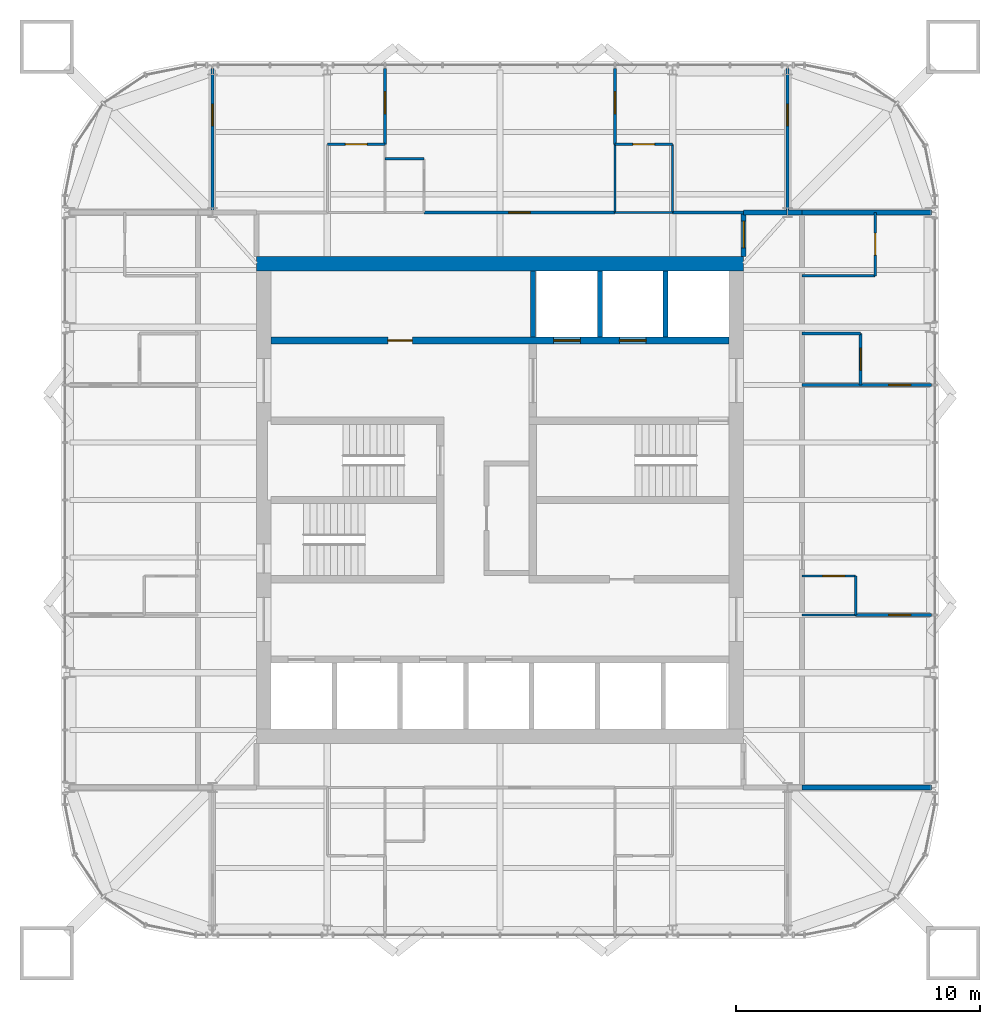
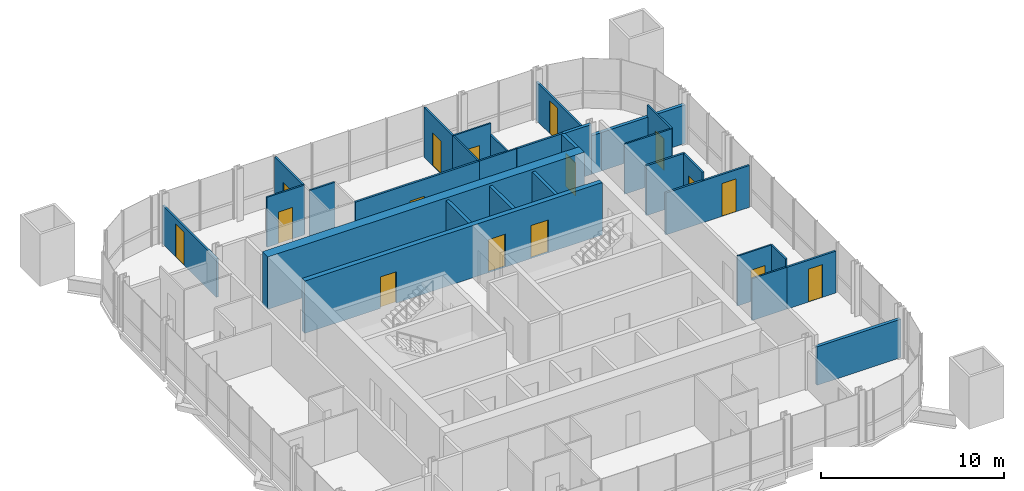
# One storey, part 15 of 17: 31 walls, 16 doors, 16 openings.
"""IFC4 building model written with IfcOpenShell, lengths in metres."""

import ifcopenshell
import ifcopenshell.guid

model = None  # the IFC model being written
_history = None  # IfcOwnerHistory: only IFC2X3 demands one
_inside = {}  # id of a spatial element -> (the spatial element, [elements in it])
_under = {}  # id of a project, library or spatial element -> (it, [spatial elements below it])
_declared = {}  # id of a project -> (the project, [libraries it declares])
_typed = {}  # id of a type object -> (the type object, [elements of that type])
_made_of = {}  # id of a material, layer set ... -> (it, [elements and type objects made of it])


def new_model(schema):
    """Start an empty IFC model of exactly this schema.

    Asked for "IFC4X3", IfcOpenShell would pick the latest addendum, in which some entities
    have other attributes; the version numbers below select the first issue.
    IFC2X3 requires an IfcOwnerHistory on every rooted entity: one is made here for all.
    """
    global model, _history
    if schema == "IFC4X3":
        model = ifcopenshell.file(schema_version=(4, 3, 0, 0))
    else:
        model = ifcopenshell.file(schema=schema)
    _inside.clear()
    _under.clear()
    _declared.clear()
    _typed.clear()
    _made_of.clear()
    _history = None
    if model.schema == "IFC2X3":
        org = make("IfcOrganization", Name="unknown")
        user = make(
            "IfcPersonAndOrganization",
            ThePerson=make("IfcPerson", FamilyName="unknown"),
            TheOrganization=org,
        )
        app = make(
            "IfcApplication",
            ApplicationDeveloper=org,
            Version="unknown",
            ApplicationFullName="unknown",
            ApplicationIdentifier="unknown",
        )
        _history = make(
            "IfcOwnerHistory",
            OwningUser=user,
            OwningApplication=app,
            ChangeAction="ADDED",
            CreationDate=0,
        )
    return model


def make(cls, **values):
    """One entity of the class cls with the attributes given. An attribute that is None is left unset."""
    return model.create_entity(
        cls, **{name: value for name, value in values.items() if value is not None}
    )


def rooted(cls, **values):
    """An entity with a GlobalId (a new one), such as an element, a storey or a relation."""
    return make(cls, GlobalId=ifcopenshell.guid.new(), OwnerHistory=_history, **values)


def si_unit(unit_type, name, prefix=None):
    """IfcSIUnit, for example si_unit("LENGTHUNIT", "METRE", prefix="MILLI")."""
    return make("IfcSIUnit", UnitType=unit_type, Prefix=prefix, Name=name)


def assignment(units):
    """IfcUnitAssignment: the units of a project."""
    return None if units is None else make("IfcUnitAssignment", Units=units)


def point(xyz):
    """IfcCartesianPoint."""
    return None if xyz is None else make("IfcCartesianPoint", Coordinates=xyz)


def direction(xyz):
    """IfcDirection."""
    return None if xyz is None else make("IfcDirection", DirectionRatios=xyz)


def frame(location, z_axis=None, x_axis=None):
    """IfcAxis2Placement3D, a coordinate frame: its origin and axes. An axis left out is left unset."""
    return make(
        "IfcAxis2Placement3D",
        Location=point(location),
        Axis=direction(z_axis),
        RefDirection=direction(x_axis),
    )


def frame_2d(location, x_axis=None):
    """IfcAxis2Placement2D, a coordinate frame in the plane: its origin and x axis."""
    return make(
        "IfcAxis2Placement2D", Location=point(location), RefDirection=direction(x_axis)
    )


def origin():
    """The frame at (0, 0, 0) with its axes left unset."""
    return frame((0.0, 0.0, 0.0))


def place(relative_to, where):
    """IfcLocalPlacement: puts the frame where relative to a parent placement (None: the world)."""
    return make(
        "IfcLocalPlacement", PlacementRelTo=relative_to, RelativePlacement=where
    )


def context(
    kind, dimensions, precision=None, world=None, true_north=None, identifier=None
):
    """IfcGeometricRepresentationContext, for example the 3D "Model" context."""
    return make(
        "IfcGeometricRepresentationContext",
        ContextIdentifier=identifier,
        ContextType=kind,
        CoordinateSpaceDimension=dimensions,
        Precision=precision,
        WorldCoordinateSystem=world,
        TrueNorth=true_north,
    )


def subcontext(parent, identifier, kind, view, scale=None):
    """IfcGeometricRepresentationSubContext, for example "Body" below "Model"."""
    return make(
        "IfcGeometricRepresentationSubContext",
        ContextIdentifier=identifier,
        ContextType=kind,
        ParentContext=parent,
        TargetScale=scale,
        TargetView=view,
    )


def project(units=None, contexts=None):
    """IfcProject with its units and contexts."""
    return rooted(
        "IfcProject",
        Name="project",
        RepresentationContexts=contexts,
        UnitsInContext=assignment(units),
    )


def spatial(cls, under=None, at=None, **own):
    """A site, building, storey or space (cls), placed at a placement, below another one or the project."""
    s = rooted(cls, ObjectPlacement=at, **own)
    if under is not None:
        _under.setdefault(under.id(), (under, []))[1].append(s)
    return s


def profile(cls, at=None, kind="AREA", **sizes):
    """A parametric profile (cls). Its sizes go by their IFC names, for example OverallWidth=200.0."""
    return make(cls, ProfileType=kind, Position=at, **sizes)


def rectangle(**sizes):
    """IfcRectangleProfileDef."""
    return profile("IfcRectangleProfileDef", **sizes)


def extrude(swept, where, along, depth):
    """IfcExtrudedAreaSolid: the profile swept, set in the frame where, extruded along a direction by depth."""
    return make(
        "IfcExtrudedAreaSolid",
        SweptArea=swept,
        Position=where,
        ExtrudedDirection=direction(along),
        Depth=depth,
    )


def shape(context_of_items, identifier, shape_type, items):
    """IfcShapeRepresentation: the items that make up one representation, for example the "Body"."""
    return make(
        "IfcShapeRepresentation",
        ContextOfItems=context_of_items,
        RepresentationIdentifier=identifier,
        RepresentationType=shape_type,
        Items=items,
    )


def material(Name=None, Category=None):
    """IfcMaterial."""
    return make("IfcMaterial", Name=Name, Category=Category)


def layer(
    of_material, thickness, ventilated=None, Name=None, Category=None, Priority=None
):
    """IfcMaterialLayer: one layer of a wall or slab, of a material (None: an air gap)."""
    return make(
        "IfcMaterialLayer",
        Material=of_material,
        LayerThickness=thickness,
        IsVentilated=ventilated,
        Name=Name,
        Category=Category,
        Priority=Priority,
    )


def layer_set(layers, Name=None):
    """IfcMaterialLayerSet."""
    return make("IfcMaterialLayerSet", MaterialLayers=layers, LayerSetName=Name)


def made_of(thing, what):
    """Note that an element or type object is made of a material, layer set ...; save() writes the relation."""
    if what is not None:
        _made_of.setdefault(what.id(), (what, []))[1].append(thing)
    return thing


def type_object(cls, material=None, **own):
    """A type object (cls), such as IfcWallType, which elements share."""
    return made_of(rooted(cls, **own), material)


def element(
    cls,
    number,
    at=None,
    inside=None,
    cuts=None,
    type_object=None,
    material=None,
    context=None,
    identifier="Body",
    shape_type=None,
    held_by="IfcProductDefinitionShape",
    body=None,
    shapes=None,
    **own,
):
    """One element of the class cls, such as IfcWall. Its Tag is "e" and its number.

    at: its placement. inside: the storey or other place that contains it. cuts: it is an
    opening in that element (IfcRelVoidsElement). A single representation is given by context,
    identifier, shape_type and body (its items); several are given by shapes. held_by: the class
    of the entity that holds the representations. save() writes the other relations.
    """
    e = rooted(cls, Tag="e%d" % number, ObjectPlacement=at, **own)
    if body is not None:
        shapes = [shape(context, identifier, shape_type, body)]
    if shapes is not None:
        e.Representation = make(held_by, Representations=shapes)
    if inside is not None:
        _inside.setdefault(inside.id(), (inside, []))[1].append(e)
    if cuts is not None:
        rooted(
            "IfcRelVoidsElement", RelatingBuildingElement=cuts, RelatedOpeningElement=e
        )
    if type_object is not None:
        _typed.setdefault(type_object.id(), (type_object, []))[1].append(e)
    return made_of(e, material)


def fill(opening, filler):
    """IfcRelFillsElement: the door or window that sits in an opening."""
    return rooted(
        "IfcRelFillsElement",
        RelatingOpeningElement=opening,
        RelatedBuildingElement=filler,
    )


def aggregate(whole, parts):
    """IfcRelAggregates: a whole, such as a stair, and the parts it consists of."""
    return rooted("IfcRelAggregates", RelatingObject=whole, RelatedObjects=parts)


def save(model, path):
    """Write the relations noted so far, then the file.

    IfcRelAggregates (storeys below a building ...), IfcRelContainedInSpatialStructure (elements
    in a storey), IfcRelDefinesByType, IfcRelAssociatesMaterial and IfcRelDeclares: one each for
    every whole, place, type object, material and project.
    """
    for whole, parts in _under.values():
        aggregate(whole, parts)
    for where, things in _inside.values():
        rooted(
            "IfcRelContainedInSpatialStructure",
            RelatedElements=things,
            RelatingStructure=where,
        )
    for kind, things in _typed.values():
        rooted("IfcRelDefinesByType", RelatedObjects=things, RelatingType=kind)
    for what, things in _made_of.values():
        rooted("IfcRelAssociatesMaterial", RelatedObjects=things, RelatingMaterial=what)
    for by, libraries in _declared.values():
        rooted("IfcRelDeclares", RelatingContext=by, RelatedDefinitions=libraries)
    model.write(path)


model = new_model("IFC4")

# Units and contexts
model_context = context("Model", 3, precision=1e-05, world=origin(), true_north=direction((0.0, 1.0)))
body_context = subcontext(model_context, "Body", "Model", "MODEL_VIEW")
ifc_project = project(units=[si_unit("LENGTHUNIT", "METRE"), si_unit("AREAUNIT", "SQUARE_METRE"), si_unit("VOLUMEUNIT", "CUBIC_METRE"), si_unit("PLANEANGLEUNIT", "RADIAN"), si_unit("MASSUNIT", "GRAM", prefix="KILO")], contexts=[model_context])

# Site, building, storey
site_placement = place(None, origin())
site = spatial("IfcSite", under=ifc_project, at=site_placement, CompositionType="ELEMENT")
building_placement = place(site_placement, origin())
building = spatial("IfcBuilding", under=site, at=building_placement, Name="Turquesa Mirador Hotel Tower", CompositionType="ELEMENT")
storey_placement = place(building_placement, frame((0.0, 0.0, 254.699951171875)))
storey = spatial("IfcBuildingStorey", under=building, at=storey_placement, Name="L69", CompositionType="ELEMENT", Elevation=254.699951171875)

# Wall, opening, door
ifc_material_1 = material(Name="Gypsum board on steel studs", Category="steel")
ifc_layer_1 = layer(ifc_material_1, 0.10009765625)
ifc_layer_set_1 = layer_set([ifc_layer_1], Name="BATHROOM WALL 100")
wall_type_1 = type_object("IfcWallType", Name="BATHROOM WALL 100", PredefinedType="PARTITIONING", material=ifc_layer_set_1)
wall_1_placement = place(storey_placement, frame((67.39990234375, 41.8798828125, 0.0), z_axis=(0.0, 0.0, 1.0), x_axis=(1.0, 0.0, 0.0)))
wall_1 = element("IfcWall", 1, at=wall_1_placement, inside=storey, type_object=wall_type_1, Name="Partition L69 014", PredefinedType="PARTITIONING", context=body_context, shape_type="SweptSolid", body=[
    extrude(rectangle(XDim=2.2001953125, YDim=0.10009765625, at=frame_2d((1.10009765625, 0.0))), origin(), (0.0, 0.0, 1.0), 3.330078125),
])
opening_1_placement = place(wall_1_placement, frame((0.85009765625, 0.0, 0.0)))
opening_1 = element("IfcOpeningElement", 2, at=opening_1_placement, cuts=wall_1, Name="Opening D06", PredefinedType="OPENING", context=body_context, shape_type="SweptSolid", body=[
    extrude(rectangle(XDim=0.89990234375, YDim=2.10009765625, at=frame_2d((0.449951171875, 1.050048828125))), frame((0.0, 0.06005859375, 0.0), z_axis=(0.0, -1.0, 0.0), x_axis=(1.0, 0.0, 0.0)), (0.0, 0.0, 1.0), 0.1201171875),
])
ifc_material_2 = material(Name="Laminate door", Category="wood")
door_type_1 = type_object("IfcDoorType", Name="DOOR 900X2100 WC", OperationType="SINGLE_SWING_LEFT", PredefinedType="DOOR", material=ifc_material_2)
door_1_placement = place(opening_1_placement, origin())
door_1 = element("IfcDoor", 3, at=door_1_placement, inside=storey, type_object=door_type_1, Name="Door 6903W", OperationType="SINGLE_SWING_LEFT", OverallHeight=2.10009765625, OverallWidth=0.89990234375, PredefinedType="DOOR", context=body_context, shape_type="SweptSolid", body=[
    extrude(rectangle(XDim=0.89990234375, YDim=2.10009765625, at=frame_2d((0.449951171875, 1.050048828125))), frame((0.0, 0.02490234375, 0.0), z_axis=(0.0, -1.0, 0.0), x_axis=(1.0, 0.0, 0.0)), (0.0, 0.0, 1.0), 0.050048828125),
])
fill(opening_1, door_1)

# Walls
wall_2_placement = place(storey_placement, frame((67.39990234375, 40.280029296875, 0.0), z_axis=(0.0, 0.0, 1.0), x_axis=(1.0, 0.0, 0.0)))
element("IfcWall", 4, at=wall_2_placement, inside=storey, type_object=wall_type_1, Name="Partition L69 016", PredefinedType="PARTITIONING", context=body_context, shape_type="SweptSolid", body=[
    extrude(rectangle(XDim=2.2001953125, YDim=0.10009765625, at=frame_2d((1.10009765625, 0.0))), origin(), (0.0, 0.0, 1.0), 2.796630859375),
])
wall_3_placement = place(storey_placement, frame((59.719970703125, 56.800048828125, 0.0), z_axis=(0.0, 0.0, 1.0), x_axis=(1.0, 0.0, 0.0)))
element("IfcWall", 5, at=wall_3_placement, inside=storey, type_object=wall_type_1, Name="Partition L69 020", PredefinedType="PARTITIONING", context=body_context, shape_type="SweptSolid", body=[
    extrude(rectangle(XDim=2.360107421875, YDim=0.10009765625, at=frame_2d((1.18017578125, 0.0))), origin(), (0.0, 0.0, 1.0), 3.330078125),
])
wall_4_placement = place(storey_placement, frame((50.280029296875, 59.0, 0.0), z_axis=(0.0, 0.0, 1.0), x_axis=(1.0, 0.0, 0.0)))
element("IfcWall", 6, at=wall_4_placement, inside=storey, type_object=wall_type_1, Name="Partition L69 028", PredefinedType="PARTITIONING", context=body_context, shape_type="SweptSolid", body=[
    extrude(rectangle(XDim=1.599853515625, YDim=0.10009765625, at=frame_2d((0.7998046875, 0.0))), origin(), (0.0, 0.0, 1.0), 3.330078125),
])

# Wall, opening, door
wall_5_placement = place(storey_placement, frame((47.919921875, 59.60009765625, 0.0), z_axis=(0.0, 0.0, 1.0), x_axis=(1.0, 0.0, 0.0)))
wall_5 = element("IfcWall", 7, at=wall_5_placement, inside=storey, type_object=wall_type_1, Name="Partition L69 029", PredefinedType="PARTITIONING", context=body_context, shape_type="SweptSolid", body=[
    extrude(rectangle(XDim=2.360107421875, YDim=0.10009765625, at=frame_2d((1.18017578125, 0.0))), origin(), (0.0, 0.0, 1.0), 3.330078125),
])
opening_2_placement = place(wall_5_placement, frame((0.72998046875, 0.0, 0.0)))
opening_2 = element("IfcOpeningElement", 8, at=opening_2_placement, cuts=wall_5, Name="Opening D02", PredefinedType="OPENING", context=body_context, shape_type="SweptSolid", body=[
    extrude(rectangle(XDim=0.89990234375, YDim=2.10009765625, at=frame_2d((0.449951171875, 1.050048828125))), frame((0.0, 0.06005859375, 0.0), z_axis=(0.0, -1.0, 0.0), x_axis=(1.0, 0.0, 0.0)), (0.0, 0.0, 1.0), 0.1201171875),
])
ifc_material_3 = material(Name="Timber veneered door", Category="wood")
door_type_2 = type_object("IfcDoorType", Name="DOOR 900X2100 EN-SUITE", OperationType="SINGLE_SWING_RIGHT", PredefinedType="DOOR", material=ifc_material_3)
door_2_placement = place(opening_2_placement, origin())
door_2 = element("IfcDoor", 9, at=door_2_placement, inside=storey, type_object=door_type_2, Name="Door 6901B", OperationType="SINGLE_SWING_RIGHT", OverallHeight=2.10009765625, OverallWidth=0.89990234375, PredefinedType="DOOR", context=body_context, shape_type="SweptSolid", body=[
    extrude(rectangle(XDim=0.89990234375, YDim=2.10009765625, at=frame_2d((0.449951171875, 1.050048828125))), frame((0.0, 0.02490234375, 0.0), z_axis=(0.0, -1.0, 0.0), x_axis=(1.0, 0.0, 0.0)), (0.0, 0.0, 1.0), 0.050048828125),
])
fill(opening_2, door_2)

wall_6_placement = place(storey_placement, frame((59.719970703125, 59.60009765625, 0.0), z_axis=(0.0, 0.0, 1.0), x_axis=(1.0, 0.0, 0.0)))
wall_6 = element("IfcWall", 10, at=wall_6_placement, inside=storey, type_object=wall_type_1, Name="Partition L69 030", PredefinedType="PARTITIONING", context=body_context, shape_type="SweptSolid", body=[
    extrude(rectangle(XDim=2.360107421875, YDim=0.10009765625, at=frame_2d((1.18017578125, 0.0))), origin(), (0.0, 0.0, 1.0), 3.330078125),
])
opening_3_placement = place(wall_6_placement, frame((0.72998046875, 0.0, 0.0)))
opening_3 = element("IfcOpeningElement", 11, at=opening_3_placement, cuts=wall_6, Name="Opening D02", PredefinedType="OPENING", context=body_context, shape_type="SweptSolid", body=[
    extrude(rectangle(XDim=0.89990234375, YDim=2.10009765625, at=frame_2d((0.449951171875, 1.050048828125))), frame((0.0, 0.06005859375, 0.0), z_axis=(0.0, -1.0, 0.0), x_axis=(1.0, 0.0, 0.0)), (0.0, 0.0, 1.0), 0.1201171875),
])
door_3_placement = place(opening_3_placement, origin())
door_3 = element("IfcDoor", 12, at=door_3_placement, inside=storey, type_object=door_type_2, Name="Door 6901E", OperationType="SINGLE_SWING_RIGHT", OverallHeight=2.10009765625, OverallWidth=0.89990234375, PredefinedType="DOOR", context=body_context, shape_type="SweptSolid", body=[
    extrude(rectangle(XDim=0.89990234375, YDim=2.10009765625, at=frame_2d((0.449951171875, 1.050048828125))), frame((0.0, 0.02490234375, 0.0), z_axis=(0.0, -1.0, 0.0), x_axis=(1.0, 0.0, 0.0)), (0.0, 0.0, 1.0), 0.050048828125),
])
fill(opening_3, door_3)

# Walls
wall_7_placement = place(storey_placement, frame((67.39990234375, 54.199951171875, 0.0), z_axis=(0.0, 0.0, 1.0), x_axis=(1.0, 0.0, 0.0)))
element("IfcWall", 13, at=wall_7_placement, inside=storey, type_object=wall_type_1, Name="Partition L69 036", PredefinedType="PARTITIONING", context=body_context, shape_type="SweptSolid", body=[
    extrude(rectangle(XDim=3.0, YDim=0.10009765625, at=frame_2d((1.5, 0.0))), origin(), (0.0, 0.0, 1.0), 3.330078125),
])
wall_8_placement = place(storey_placement, frame((69.60009765625, 40.280029296875, 0.0), z_axis=(0.0, 0.0, 1.0), x_axis=(0.0, 1.0, 0.0)))
element("IfcWall", 14, at=wall_8_placement, inside=storey, type_object=wall_type_1, Name="Partition L69 058", PredefinedType="PARTITIONING", context=body_context, shape_type="SweptSolid", body=[
    extrude(rectangle(XDim=1.599853515625, YDim=0.10009765625, at=frame_2d((0.7998046875, 0.0))), origin(), (0.0, 0.0, 1.0), 3.330078125),
])

# Wall, opening, door
wall_9_placement = place(storey_placement, frame((70.39990234375, 54.199951171875, 0.0), z_axis=(0.0, 0.0, 1.0), x_axis=(0.0, 1.0, 0.0)))
wall_9 = element("IfcWall", 15, at=wall_9_placement, inside=storey, type_object=wall_type_1, Name="Partition L69 060", PredefinedType="PARTITIONING", context=body_context, shape_type="SweptSolid", body=[
    extrude(rectangle(XDim=2.60009765625, YDim=0.10009765625, at=frame_2d((1.300048828125, 0.0))), origin(), (0.0, 0.0, 1.0), 3.330078125),
])
opening_4_placement = place(wall_9_placement, frame((0.85009765625, 0.0, 0.0)))
opening_4 = element("IfcOpeningElement", 16, at=opening_4_placement, cuts=wall_9, Name="Opening D02", PredefinedType="OPENING", context=body_context, shape_type="SweptSolid", body=[
    extrude(rectangle(XDim=0.89990234375, YDim=2.10009765625, at=frame_2d((0.449951171875, 1.050048828125))), frame((0.0, 0.06005859375, 0.0), z_axis=(0.0, -1.0, 0.0), x_axis=(1.0, 0.0, 0.0)), (0.0, 0.0, 1.0), 0.1201171875),
])
door_4_placement = place(opening_4_placement, origin())
door_4 = element("IfcDoor", 17, at=door_4_placement, inside=storey, type_object=door_type_2, Name="Door 6903B", OperationType="SINGLE_SWING_RIGHT", OverallHeight=2.10009765625, OverallWidth=0.89990234375, PredefinedType="DOOR", context=body_context, shape_type="SweptSolid", body=[
    extrude(rectangle(XDim=0.89990234375, YDim=2.10009765625, at=frame_2d((0.449951171875, 1.050048828125))), frame((0.0, 0.02490234375, 0.0), z_axis=(0.0, -1.0, 0.0), x_axis=(1.0, 0.0, 0.0)), (0.0, 0.0, 1.0), 0.050048828125),
])
fill(opening_4, door_4)

# Walls
wall_10_placement = place(storey_placement, frame((59.719970703125, 56.800048828125, 0.0), z_axis=(0.0, 0.0, 1.0), x_axis=(0.0, 1.0, 0.0)))
element("IfcWall", 18, at=wall_10_placement, inside=storey, type_object=wall_type_1, Name="Partition L69 062", PredefinedType="PARTITIONING", context=body_context, shape_type="SweptSolid", body=[
    extrude(rectangle(XDim=2.800048828125, YDim=0.10009765625, at=frame_2d((1.39990234375, 0.0))), origin(), (0.0, 0.0, 1.0), 3.330078125),
])
wall_11_placement = place(storey_placement, frame((62.080078125, 56.800048828125, 0.0), z_axis=(0.0, 0.0, 1.0), x_axis=(0.0, 1.0, 0.0)))
element("IfcWall", 19, at=wall_11_placement, inside=storey, type_object=wall_type_1, Name="Partition L69 066", PredefinedType="PARTITIONING", context=body_context, shape_type="SweptSolid", body=[
    extrude(rectangle(XDim=2.800048828125, YDim=0.10009765625, at=frame_2d((1.39990234375, 0.0))), origin(), (0.0, 0.0, 1.0), 2.5732421875),
])

# Wall, openings, doors
ifc_material_4 = material(Name="Concrete C50/60", Category="concrete")
ifc_layer_2 = layer(ifc_material_4, 0.300048828125)
ifc_layer_set_2 = layer_set([ifc_layer_2], Name="CORE INNER WALL 300")
wall_type_2 = type_object("IfcWallType", Name="CORE INNER WALL 300", PredefinedType="SHEAR", material=ifc_layer_set_2)
wall_12_placement = place(storey_placement, frame((45.60009765625, 51.550048828125, 0.0), z_axis=(0.0, 0.0, 1.0), x_axis=(1.0, 0.0, 0.0)))
wall_12 = element("IfcWall", 20, at=wall_12_placement, inside=storey, type_object=wall_type_2, Name="Core wall NL", PredefinedType="SHEAR", context=body_context, shape_type="SweptSolid", body=[
    extrude(rectangle(XDim=18.7998046875, YDim=0.300048828125, at=frame_2d((9.39990234375, 0.0))), origin(), (0.0, 0.0, 1.0), 3.5),
])
opening_5_placement = place(wall_12_placement, frame((4.800048828125, 0.0, 0.0)))
opening_5 = element("IfcOpeningElement", 21, at=opening_5_placement, cuts=wall_12, Name="Opening D05", PredefinedType="OPENING", context=body_context, shape_type="SweptSolid", body=[
    extrude(rectangle(XDim=1.0, YDim=2.10009765625, at=frame_2d((0.5, 1.050048828125))), frame((0.0, 0.159912109375, 0.0), z_axis=(0.0, -1.0, 0.0), x_axis=(1.0, 0.0, 0.0)), (0.0, 0.0, 1.0), 0.320068359375),
])
opening_6_placement = place(wall_12_placement, frame((11.60009765625, 0.0, 0.0)))
opening_6 = element("IfcOpeningElement", 22, at=opening_6_placement, cuts=wall_12, Name="Opening LD", PredefinedType="OPENING", context=body_context, shape_type="SweptSolid", body=[
    extrude(rectangle(XDim=1.10009765625, YDim=2.199951171875, at=frame_2d((0.550048828125, 1.10009765625))), frame((0.0, 0.159912109375, 0.0), z_axis=(0.0, -1.0, 0.0), x_axis=(1.0, 0.0, 0.0)), (0.0, 0.0, 1.0), 0.320068359375),
])
opening_7_placement = place(wall_12_placement, frame((14.300048828125, 0.0, 0.0)))
opening_7 = element("IfcOpeningElement", 23, at=opening_7_placement, cuts=wall_12, Name="Opening LD", PredefinedType="OPENING", context=body_context, shape_type="SweptSolid", body=[
    extrude(rectangle(XDim=1.10009765625, YDim=2.199951171875, at=frame_2d((0.550048828125, 1.10009765625))), frame((0.0, 0.159912109375, 0.0), z_axis=(0.0, -1.0, 0.0), x_axis=(1.0, 0.0, 0.0)), (0.0, 0.0, 1.0), 0.320068359375),
])
ifc_material_5 = material(Name="Steel fire door", Category="steel")
door_type_3 = type_object("IfcDoorType", Name="DOOR 1000X2100 SERVICE", OperationType="SINGLE_SWING_LEFT", PredefinedType="DOOR", material=ifc_material_5)
door_5_placement = place(opening_5_placement, origin())
door_5 = element("IfcDoor", 24, at=door_5_placement, inside=storey, type_object=door_type_3, Name="Linen store door", OperationType="SINGLE_SWING_LEFT", OverallHeight=2.10009765625, OverallWidth=1.0, PredefinedType="DOOR", context=body_context, shape_type="SweptSolid", body=[
    extrude(rectangle(XDim=1.0, YDim=2.10009765625, at=frame_2d((0.5, 1.050048828125))), frame((0.0, 0.02490234375, 0.0), z_axis=(0.0, -1.0, 0.0), x_axis=(1.0, 0.0, 0.0)), (0.0, 0.0, 1.0), 0.050048828125),
])
fill(opening_5, door_5)
ifc_material_6 = material(Name="Stainless steel lift landing door", Category="steel")
door_type_4 = type_object("IfcDoorType", Name="LIFT LANDING DOOR 1100X2200", OperationType="SLIDING_TO_LEFT", PredefinedType="DOOR", material=ifc_material_6)
door_6_placement = place(opening_6_placement, origin())
door_6 = element("IfcDoor", 25, at=door_6_placement, inside=storey, type_object=door_type_4, Name="Lift S1 landing door", OperationType="SLIDING_TO_LEFT", OverallHeight=2.199951171875, OverallWidth=1.10009765625, PredefinedType="DOOR", context=body_context, shape_type="SweptSolid", body=[
    extrude(rectangle(XDim=1.10009765625, YDim=2.199951171875, at=frame_2d((0.550048828125, 1.10009765625))), frame((0.0, 0.02490234375, 0.0), z_axis=(0.0, -1.0, 0.0), x_axis=(1.0, 0.0, 0.0)), (0.0, 0.0, 1.0), 0.050048828125),
])
fill(opening_6, door_6)
door_7_placement = place(opening_7_placement, origin())
door_7 = element("IfcDoor", 26, at=door_7_placement, inside=storey, type_object=door_type_4, Name="Lift S2 landing door", OperationType="SLIDING_TO_LEFT", OverallHeight=2.199951171875, OverallWidth=1.10009765625, PredefinedType="DOOR", context=body_context, shape_type="SweptSolid", body=[
    extrude(rectangle(XDim=1.10009765625, YDim=2.199951171875, at=frame_2d((0.550048828125, 1.10009765625))), frame((0.0, 0.02490234375, 0.0), z_axis=(0.0, -1.0, 0.0), x_axis=(1.0, 0.0, 0.0)), (0.0, 0.0, 1.0), 0.050048828125),
])
fill(opening_7, door_7)

# Walls
ifc_material_7 = material(Name="Concrete C50/60", Category="concrete")
ifc_layer_3 = layer(ifc_material_7, 0.60009765625)
ifc_layer_set_3 = layer_set([ifc_layer_3], Name="CORE WALL 600")
wall_type_3 = type_object("IfcWallType", Name="CORE WALL 600", PredefinedType="SHEAR", material=ifc_layer_set_3)
wall_13_placement = place(storey_placement, frame((45.0, 54.699951171875, 0.0), z_axis=(0.0, 0.0, 1.0), x_axis=(1.0, 0.0, 0.0)))
element("IfcWall", 27, at=wall_13_placement, inside=storey, type_object=wall_type_3, Name="Core wall N", PredefinedType="SHEAR", context=body_context, shape_type="SweptSolid", body=[
    extrude(rectangle(XDim=20.0, YDim=0.60009765625, at=frame_2d((10.0, 0.0))), origin(), (0.0, 0.0, 1.0), 3.5),
])
ifc_material_8 = material(Name="Fire-rated gypsum board on steel studs", Category="steel")
ifc_layer_4 = layer(ifc_material_8, 0.199951171875)
ifc_layer_set_4 = layer_set([ifc_layer_4], Name="CORRIDOR WALL 200")
wall_type_4 = type_object("IfcWallType", Name="CORRIDOR WALL 200", PredefinedType="PARTITIONING", material=ifc_layer_set_4)
wall_14_placement = place(storey_placement, frame((65.0, 56.800048828125, 0.0), z_axis=(0.0, 0.0, 1.0), x_axis=(1.0, 0.0, 0.0)))
element("IfcWall", 28, at=wall_14_placement, inside=storey, type_object=wall_type_4, Name="Partition L69 022", PredefinedType="PARTITIONING", context=body_context, shape_type="SweptSolid", body=[
    extrude(rectangle(XDim=1.780029296875, YDim=0.199951171875, at=frame_2d((0.89013671875, 0.0))), origin(), (0.0, 0.0, 1.0), 3.330078125),
])

# Wall, opening, door
wall_15_placement = place(storey_placement, frame((65.0, 55.0, 0.0), z_axis=(0.0, 0.0, 1.0), x_axis=(0.0, 1.0, 0.0)))
wall_15 = element("IfcWall", 29, at=wall_15_placement, inside=storey, type_object=wall_type_4, Name="Partition L69 054", PredefinedType="PARTITIONING", context=body_context, shape_type="SweptSolid", body=[
    extrude(rectangle(XDim=1.800048828125, YDim=0.199951171875, at=frame_2d((0.89990234375, 0.0))), origin(), (0.0, 0.0, 1.0), 3.330078125),
])
opening_8_placement = place(wall_15_placement, frame((0.35009765625, 0.0, 0.0)))
opening_8 = element("IfcOpeningElement", 30, at=opening_8_placement, cuts=wall_15, Name="Opening D15", PredefinedType="OPENING", context=body_context, shape_type="SweptSolid", body=[
    extrude(rectangle(XDim=1.10009765625, YDim=2.199951171875, at=frame_2d((0.550048828125, 1.10009765625))), frame((0.0, 0.10986328125, 0.0), z_axis=(0.0, -1.0, 0.0), x_axis=(1.0, 0.0, 0.0)), (0.0, 0.0, 1.0), 0.219970703125),
])
ifc_material_9 = material(Name="Timber veneered fire door", Category="wood")
door_type_5 = type_object("IfcDoorType", Name="DOOR 1100X2200 SUITE ENTRY", OperationType="SINGLE_SWING_LEFT", PredefinedType="DOOR", material=ifc_material_9)
door_8_placement = place(opening_8_placement, origin())
door_8 = element("IfcDoor", 31, at=door_8_placement, inside=storey, type_object=door_type_5, Name="Door 6901G", OperationType="SINGLE_SWING_LEFT", OverallHeight=2.199951171875, OverallWidth=1.10009765625, PredefinedType="DOOR", context=body_context, shape_type="SweptSolid", body=[
    extrude(rectangle(XDim=1.10009765625, YDim=2.199951171875, at=frame_2d((0.550048828125, 1.10009765625))), frame((0.0, 0.02490234375, 0.0), z_axis=(0.0, -1.0, 0.0), x_axis=(1.0, 0.0, 0.0)), (0.0, 0.0, 1.0), 0.050048828125),
])
fill(opening_8, door_8)

# Walls
wall_16_placement = place(storey_placement, frame((66.780029296875, 56.800048828125, 0.0), z_axis=(0.0, 0.0, 1.0), x_axis=(1.0, 0.0, 0.0)))
element("IfcWall", 32, at=wall_16_placement, inside=storey, type_object=wall_type_4, Name="Partition L69 070", PredefinedType="PARTITIONING", context=body_context, shape_type="SweptSolid", body=[
    extrude(rectangle(XDim=0.619873046875, YDim=0.199951171875, at=frame_2d((0.31005859375, 0.0))), origin(), (0.0, 0.0, 1.0), 2.5732421875),
])
ifc_material_10 = material(Name="Fire-rated gypsum shaft wall on steel studs", Category="steel")
ifc_layer_5 = layer(ifc_material_10, 0.199951171875)
ifc_layer_set_5 = layer_set([ifc_layer_5], Name="LIFT SHAFT DIVIDER 200")
wall_type_5 = type_object("IfcWallType", Name="LIFT SHAFT DIVIDER 200", PredefinedType="PARTITIONING", material=ifc_layer_set_5)
for number, where, z_axis, x_axis, name in (
    (33, (59.10009765625, 51.699951171875, 0.0), (0.0, 0.0, 1.0), (0.0, 1.0, 0.0), "Lift shaft divider"),
    (34, (61.800048828125, 51.699951171875, 0.0), (0.0, 0.0, 1.0), (0.0, 1.0, 0.0), "Lift shaft divider"),
    (35, (56.35009765625, 51.699951171875, 0.0), (0.0, 0.0, 1.0), (0.0, 1.0, 0.0), "Lift shaft divider"),
):
    element("IfcWall", number, at=place(storey_placement, frame(where, z_axis=z_axis, x_axis=x_axis)), inside=storey, type_object=wall_type_5, Name=name, PredefinedType="PARTITIONING", context=body_context, shape_type="SweptSolid", body=[
        extrude(rectangle(XDim=2.699951171875, YDim=0.199951171875, at=frame_2d((1.35009765625, 0.0))), origin(), (0.0, 0.0, 1.0), 3.330078125),
    ])
ifc_material_11 = material(Name="Fire-rated gypsum board on steel studs", Category="steel")
ifc_layer_6 = layer(ifc_material_11, 0.199951171875)
ifc_layer_set_6 = layer_set([ifc_layer_6], Name="PARTY WALL 200")
wall_type_6 = type_object("IfcWallType", Name="PARTY WALL 200", PredefinedType="PARTITIONING", material=ifc_layer_set_6)
for number, where, z_axis, x_axis, name in (
    (36, (67.39990234375, 33.199951171875, 0.0), (0.0, 0.0, 1.0), (1.0, 0.0, 0.0), "Partition L69 006"),
    (37, (67.39990234375, 56.800048828125, 0.0), (0.0, 0.0, 1.0), (1.0, 0.0, 0.0), "Partition L69 024"),
):
    element("IfcWall", number, at=place(storey_placement, frame(where, z_axis=z_axis, x_axis=x_axis)), inside=storey, type_object=wall_type_6, Name=name, PredefinedType="PARTITIONING", context=body_context, shape_type="SweptSolid", body=[
        extrude(rectangle(XDim=5.300048828125, YDim=0.199951171875, at=frame_2d((2.64990234375, 0.0))), origin(), (0.0, 0.0, 1.0), 2.5732421875),
    ])

# Wall, opening, door
ifc_material_12 = material(Name="Acoustic gypsum board on steel studs", Category="steel")
ifc_layer_7 = layer(ifc_material_12, 0.125)
ifc_layer_set_7 = layer_set([ifc_layer_7], Name="SUITE PARTITION 125")
wall_type_7 = type_object("IfcWallType", Name="SUITE PARTITION 125", PredefinedType="PARTITIONING", material=ifc_layer_set_7)
wall_17_placement = place(storey_placement, frame((69.60009765625, 40.280029296875, 0.0), z_axis=(0.0, 0.0, 1.0), x_axis=(1.0, 0.0, 0.0)))
wall_17 = element("IfcWall", 38, at=wall_17_placement, inside=storey, type_object=wall_type_7, Name="Partition L69 018", PredefinedType="PARTITIONING", context=body_context, shape_type="SweptSolid", body=[
    extrude(rectangle(XDim=3.099853515625, YDim=0.125, at=frame_2d((1.5498046875, 0.0))), origin(), (0.0, 0.0, 1.0), 2.796630859375),
])
opening_9_placement = place(wall_17_placement, frame((1.35009765625, 0.0, 0.0)))
opening_9 = element("IfcOpeningElement", 39, at=opening_9_placement, cuts=wall_17, Name="Opening D17", PredefinedType="OPENING", context=body_context, shape_type="SweptSolid", body=[
    extrude(rectangle(XDim=0.89990234375, YDim=2.199951171875, at=frame_2d((0.449951171875, 1.10009765625))), frame((0.0, 0.072509765625, 0.0), z_axis=(0.0, -1.0, 0.0), x_axis=(1.0, 0.0, 0.0)), (0.0, 0.0, 1.0), 0.14501953125),
])
ifc_material_13 = material(Name="Timber veneered door", Category="wood")
door_type_6 = type_object("IfcDoorType", Name="DOOR 900X2200 SUITE INTERNAL", OperationType="SINGLE_SWING_LEFT", PredefinedType="DOOR", material=ifc_material_13)
door_9_placement = place(opening_9_placement, origin())
door_9 = element("IfcDoor", 40, at=door_9_placement, inside=storey, type_object=door_type_6, Name="Door 6903M", OperationType="SINGLE_SWING_LEFT", OverallHeight=2.199951171875, OverallWidth=0.89990234375, PredefinedType="DOOR", context=body_context, shape_type="SweptSolid", body=[
    extrude(rectangle(XDim=0.89990234375, YDim=2.199951171875, at=frame_2d((0.449951171875, 1.10009765625))), frame((0.0, 0.02490234375, 0.0), z_axis=(0.0, -1.0, 0.0), x_axis=(1.0, 0.0, 0.0)), (0.0, 0.0, 1.0), 0.050048828125),
])
fill(opening_9, door_9)

wall_18_placement = place(storey_placement, frame((51.8798828125, 56.800048828125, 0.0), z_axis=(0.0, 0.0, 1.0), x_axis=(1.0, 0.0, 0.0)))
wall_18 = element("IfcWall", 41, at=wall_18_placement, inside=storey, type_object=wall_type_7, Name="Partition L69 026", PredefinedType="PARTITIONING", context=body_context, shape_type="SweptSolid", body=[
    extrude(rectangle(XDim=7.840087890625, YDim=0.125, at=frame_2d((3.919921875, 0.0))), origin(), (0.0, 0.0, 1.0), 3.330078125),
])
opening_10_placement = place(wall_18_placement, frame((3.469970703125, 0.0, 0.0)))
opening_10 = element("IfcOpeningElement", 42, at=opening_10_placement, cuts=wall_18, Name="Opening D17", PredefinedType="OPENING", context=body_context, shape_type="SweptSolid", body=[
    extrude(rectangle(XDim=0.89990234375, YDim=2.199951171875, at=frame_2d((0.449951171875, 1.10009765625))), frame((0.0, 0.072509765625, 0.0), z_axis=(0.0, -1.0, 0.0), x_axis=(1.0, 0.0, 0.0)), (0.0, 0.0, 1.0), 0.14501953125),
])
door_10_placement = place(opening_10_placement, origin())
door_10 = element("IfcDoor", 43, at=door_10_placement, inside=storey, type_object=door_type_6, Name="Door 6901", OperationType="SINGLE_SWING_LEFT", OverallHeight=2.199951171875, OverallWidth=0.89990234375, PredefinedType="DOOR", context=body_context, shape_type="SweptSolid", body=[
    extrude(rectangle(XDim=0.89990234375, YDim=2.199951171875, at=frame_2d((0.449951171875, 1.10009765625))), frame((0.0, 0.02490234375, 0.0), z_axis=(0.0, -1.0, 0.0), x_axis=(1.0, 0.0, 0.0)), (0.0, 0.0, 1.0), 0.050048828125),
])
fill(opening_10, door_10)

# Wall
wall_19_placement = place(storey_placement, frame((62.080078125, 56.800048828125, 0.0), z_axis=(0.0, 0.0, 1.0), x_axis=(1.0, 0.0, 0.0)))
element("IfcWall", 44, at=wall_19_placement, inside=storey, type_object=wall_type_7, Name="Partition L69 027", PredefinedType="PARTITIONING", context=body_context, shape_type="SweptSolid", body=[
    extrude(rectangle(XDim=2.919921875, YDim=0.125, at=frame_2d((1.4599609375, 0.0))), origin(), (0.0, 0.0, 1.0), 3.330078125),
])

# Wall, opening, door
wall_20_placement = place(storey_placement, frame((67.39990234375, 49.719970703125, 0.0), z_axis=(0.0, 0.0, 1.0), x_axis=(1.0, 0.0, 0.0)))
wall_20 = element("IfcWall", 45, at=wall_20_placement, inside=storey, type_object=wall_type_7, Name="Partition L69 032", PredefinedType="PARTITIONING", context=body_context, shape_type="SweptSolid", body=[
    extrude(rectangle(XDim=5.300048828125, YDim=0.125, at=frame_2d((2.64990234375, 0.0))), origin(), (0.0, 0.0, 1.0), 2.796630859375),
])
opening_11_placement = place(wall_20_placement, frame((3.550048828125, 0.0, 0.0)))
opening_11 = element("IfcOpeningElement", 46, at=opening_11_placement, cuts=wall_20, Name="Opening D17", PredefinedType="OPENING", context=body_context, shape_type="SweptSolid", body=[
    extrude(rectangle(XDim=0.89990234375, YDim=2.199951171875, at=frame_2d((0.449951171875, 1.10009765625))), frame((0.0, 0.072509765625, 0.0), z_axis=(0.0, -1.0, 0.0), x_axis=(1.0, 0.0, 0.0)), (0.0, 0.0, 1.0), 0.14501953125),
])
door_11_placement = place(opening_11_placement, origin())
door_11 = element("IfcDoor", 47, at=door_11_placement, inside=storey, type_object=door_type_6, Name="Door 6903R", OperationType="SINGLE_SWING_LEFT", OverallHeight=2.199951171875, OverallWidth=0.89990234375, PredefinedType="DOOR", context=body_context, shape_type="SweptSolid", body=[
    extrude(rectangle(XDim=0.89990234375, YDim=2.199951171875, at=frame_2d((0.449951171875, 1.10009765625))), frame((0.0, 0.02490234375, 0.0), z_axis=(0.0, -1.0, 0.0), x_axis=(1.0, 0.0, 0.0)), (0.0, 0.0, 1.0), 0.050048828125),
])
fill(opening_11, door_11)

# Wall
wall_21_placement = place(storey_placement, frame((67.39990234375, 51.840087890625, 0.0), z_axis=(0.0, 0.0, 1.0), x_axis=(1.0, 0.0, 0.0)))
element("IfcWall", 48, at=wall_21_placement, inside=storey, type_object=wall_type_7, Name="Partition L69 034", PredefinedType="PARTITIONING", context=body_context, shape_type="SweptSolid", body=[
    extrude(rectangle(XDim=2.400146484375, YDim=0.125, at=frame_2d((1.2001953125, 0.0))), origin(), (0.0, 0.0, 1.0), 3.330078125),
])

# Wall, opening, door
wall_22_placement = place(storey_placement, frame((43.199951171875, 56.800048828125, 0.0), z_axis=(0.0, 0.0, 1.0), x_axis=(0.0, 1.0, 0.0)))
wall_22 = element("IfcWall", 49, at=wall_22_placement, inside=storey, type_object=wall_type_7, Name="Partition L69 040", PredefinedType="PARTITIONING", context=body_context, shape_type="SweptSolid", body=[
    extrude(rectangle(XDim=5.89990234375, YDim=0.125, at=frame_2d((2.949951171875, 0.0))), origin(), (0.0, 0.0, 1.0), 2.5732421875),
])
opening_12_placement = place(wall_22_placement, frame((3.550048828125, 0.0, 0.0)))
opening_12 = element("IfcOpeningElement", 50, at=opening_12_placement, cuts=wall_22, Name="Opening D17", PredefinedType="OPENING", context=body_context, shape_type="SweptSolid", body=[
    extrude(rectangle(XDim=0.89990234375, YDim=2.199951171875, at=frame_2d((0.449951171875, 1.10009765625))), frame((0.0, 0.072509765625, 0.0), z_axis=(0.0, -1.0, 0.0), x_axis=(1.0, 0.0, 0.0)), (0.0, 0.0, 1.0), 0.14501953125),
])
door_12_placement = place(opening_12_placement, origin())
door_12 = element("IfcDoor", 51, at=door_12_placement, inside=storey, type_object=door_type_6, Name="Door 6901T", OperationType="SINGLE_SWING_LEFT", OverallHeight=2.199951171875, OverallWidth=0.89990234375, PredefinedType="DOOR", context=body_context, shape_type="SweptSolid", body=[
    extrude(rectangle(XDim=0.89990234375, YDim=2.199951171875, at=frame_2d((0.449951171875, 1.10009765625))), frame((0.0, 0.02490234375, 0.0), z_axis=(0.0, -1.0, 0.0), x_axis=(1.0, 0.0, 0.0)), (0.0, 0.0, 1.0), 0.050048828125),
])
fill(opening_12, door_12)

wall_23_placement = place(storey_placement, frame((50.280029296875, 59.60009765625, 0.0), z_axis=(0.0, 0.0, 1.0), x_axis=(0.0, 1.0, 0.0)))
wall_23 = element("IfcWall", 52, at=wall_23_placement, inside=storey, type_object=wall_type_7, Name="Partition L69 050", PredefinedType="PARTITIONING", context=body_context, shape_type="SweptSolid", body=[
    extrude(rectangle(XDim=3.099853515625, YDim=0.125, at=frame_2d((1.5498046875, 0.0))), origin(), (0.0, 0.0, 1.0), 3.330078125),
])
opening_13_placement = place(wall_23_placement, frame((1.25, 0.0, 0.0)))
opening_13 = element("IfcOpeningElement", 53, at=opening_13_placement, cuts=wall_23, Name="Opening D17", PredefinedType="OPENING", context=body_context, shape_type="SweptSolid", body=[
    extrude(rectangle(XDim=0.89990234375, YDim=2.199951171875, at=frame_2d((0.449951171875, 1.10009765625))), frame((0.0, 0.072509765625, 0.0), z_axis=(0.0, -1.0, 0.0), x_axis=(1.0, 0.0, 0.0)), (0.0, 0.0, 1.0), 0.14501953125),
])
door_13_placement = place(opening_13_placement, origin())
door_13 = element("IfcDoor", 54, at=door_13_placement, inside=storey, type_object=door_type_6, Name="Door 6901R", OperationType="SINGLE_SWING_LEFT", OverallHeight=2.199951171875, OverallWidth=0.89990234375, PredefinedType="DOOR", context=body_context, shape_type="SweptSolid", body=[
    extrude(rectangle(XDim=0.89990234375, YDim=2.199951171875, at=frame_2d((0.449951171875, 1.10009765625))), frame((0.0, 0.02490234375, 0.0), z_axis=(0.0, -1.0, 0.0), x_axis=(1.0, 0.0, 0.0)), (0.0, 0.0, 1.0), 0.050048828125),
])
fill(opening_13, door_13)

wall_24_placement = place(storey_placement, frame((66.800048828125, 56.800048828125, 0.0), z_axis=(0.0, 0.0, 1.0), x_axis=(0.0, 1.0, 0.0)))
wall_24 = element("IfcWall", 55, at=wall_24_placement, inside=storey, type_object=wall_type_7, Name="Partition L69 056", PredefinedType="PARTITIONING", context=body_context, shape_type="SweptSolid", body=[
    extrude(rectangle(XDim=5.89990234375, YDim=0.125, at=frame_2d((2.949951171875, 0.0))), origin(), (0.0, 0.0, 1.0), 2.5732421875),
])
opening_14_placement = place(wall_24_placement, frame((3.550048828125, 0.0, 0.0)))
opening_14 = element("IfcOpeningElement", 56, at=opening_14_placement, cuts=wall_24, Name="Opening D17", PredefinedType="OPENING", context=body_context, shape_type="SweptSolid", body=[
    extrude(rectangle(XDim=0.89990234375, YDim=2.199951171875, at=frame_2d((0.449951171875, 1.10009765625))), frame((0.0, 0.072509765625, 0.0), z_axis=(0.0, -1.0, 0.0), x_axis=(1.0, 0.0, 0.0)), (0.0, 0.0, 1.0), 0.14501953125),
])
door_14_placement = place(opening_14_placement, origin())
door_14 = element("IfcDoor", 57, at=door_14_placement, inside=storey, type_object=door_type_6, Name="Door 6901U", OperationType="SINGLE_SWING_LEFT", OverallHeight=2.199951171875, OverallWidth=0.89990234375, PredefinedType="DOOR", context=body_context, shape_type="SweptSolid", body=[
    extrude(rectangle(XDim=0.89990234375, YDim=2.199951171875, at=frame_2d((0.449951171875, 1.10009765625))), frame((0.0, 0.02490234375, 0.0), z_axis=(0.0, -1.0, 0.0), x_axis=(1.0, 0.0, 0.0)), (0.0, 0.0, 1.0), 0.050048828125),
])
fill(opening_14, door_14)

wall_25_placement = place(storey_placement, frame((69.800048828125, 49.719970703125, 0.0), z_axis=(0.0, 0.0, 1.0), x_axis=(0.0, 1.0, 0.0)))
wall_25 = element("IfcWall", 58, at=wall_25_placement, inside=storey, type_object=wall_type_7, Name="Partition L69 059", PredefinedType="PARTITIONING", context=body_context, shape_type="SweptSolid", body=[
    extrude(rectangle(XDim=2.1201171875, YDim=0.125, at=frame_2d((1.06005859375, 0.0))), origin(), (0.0, 0.0, 1.0), 3.330078125),
])
opening_15_placement = place(wall_25_placement, frame((0.610107421875, 0.0, 0.0)))
opening_15 = element("IfcOpeningElement", 59, at=opening_15_placement, cuts=wall_25, Name="Opening D17", PredefinedType="OPENING", context=body_context, shape_type="SweptSolid", body=[
    extrude(rectangle(XDim=0.89990234375, YDim=2.199951171875, at=frame_2d((0.449951171875, 1.10009765625))), frame((0.0, 0.072509765625, 0.0), z_axis=(0.0, -1.0, 0.0), x_axis=(1.0, 0.0, 0.0)), (0.0, 0.0, 1.0), 0.14501953125),
])
door_15_placement = place(opening_15_placement, origin())
door_15 = element("IfcDoor", 60, at=door_15_placement, inside=storey, type_object=door_type_6, Name="Door 6903D", OperationType="SINGLE_SWING_LEFT", OverallHeight=2.199951171875, OverallWidth=0.89990234375, PredefinedType="DOOR", context=body_context, shape_type="SweptSolid", body=[
    extrude(rectangle(XDim=0.89990234375, YDim=2.199951171875, at=frame_2d((0.449951171875, 1.10009765625))), frame((0.0, 0.02490234375, 0.0), z_axis=(0.0, -1.0, 0.0), x_axis=(1.0, 0.0, 0.0)), (0.0, 0.0, 1.0), 0.050048828125),
])
fill(opening_15, door_15)

wall_26_placement = place(storey_placement, frame((59.719970703125, 59.60009765625, 0.0), z_axis=(0.0, 0.0, 1.0), x_axis=(0.0, 1.0, 0.0)))
wall_26 = element("IfcWall", 61, at=wall_26_placement, inside=storey, type_object=wall_type_7, Name="Partition L69 064", PredefinedType="PARTITIONING", context=body_context, shape_type="SweptSolid", body=[
    extrude(rectangle(XDim=3.099853515625, YDim=0.125, at=frame_2d((1.5498046875, 0.0))), origin(), (0.0, 0.0, 1.0), 3.330078125),
])
opening_16_placement = place(wall_26_placement, frame((1.25, 0.0, 0.0)))
opening_16 = element("IfcOpeningElement", 62, at=opening_16_placement, cuts=wall_26, Name="Opening D17", PredefinedType="OPENING", context=body_context, shape_type="SweptSolid", body=[
    extrude(rectangle(XDim=0.89990234375, YDim=2.199951171875, at=frame_2d((0.449951171875, 1.10009765625))), frame((0.0, 0.072509765625, 0.0), z_axis=(0.0, -1.0, 0.0), x_axis=(1.0, 0.0, 0.0)), (0.0, 0.0, 1.0), 0.14501953125),
])
door_16_placement = place(opening_16_placement, origin())
door_16 = element("IfcDoor", 63, at=door_16_placement, inside=storey, type_object=door_type_6, Name="Door 6901S", OperationType="SINGLE_SWING_LEFT", OverallHeight=2.199951171875, OverallWidth=0.89990234375, PredefinedType="DOOR", context=body_context, shape_type="SweptSolid", body=[
    extrude(rectangle(XDim=0.89990234375, YDim=2.199951171875, at=frame_2d((0.449951171875, 1.10009765625))), frame((0.0, 0.02490234375, 0.0), z_axis=(0.0, -1.0, 0.0), x_axis=(1.0, 0.0, 0.0)), (0.0, 0.0, 1.0), 0.050048828125),
])
fill(opening_16, door_16)

save(model, "model.ifc")
